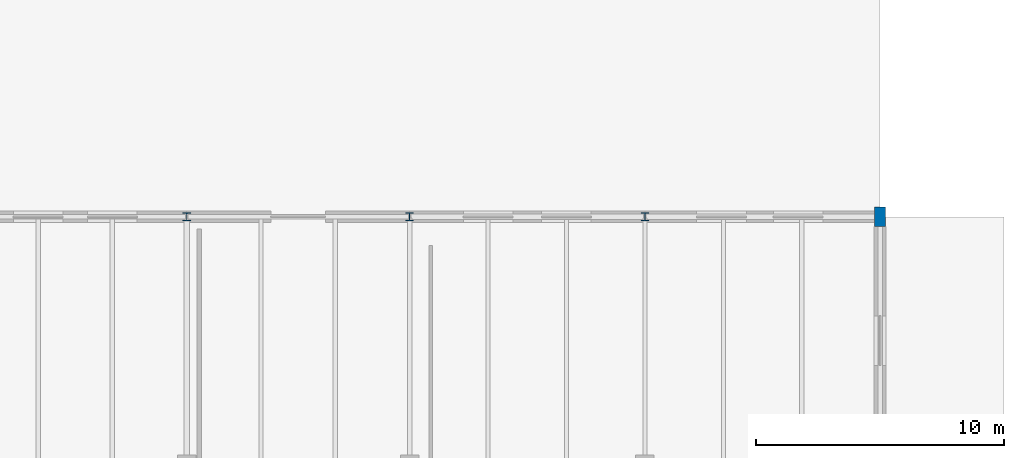
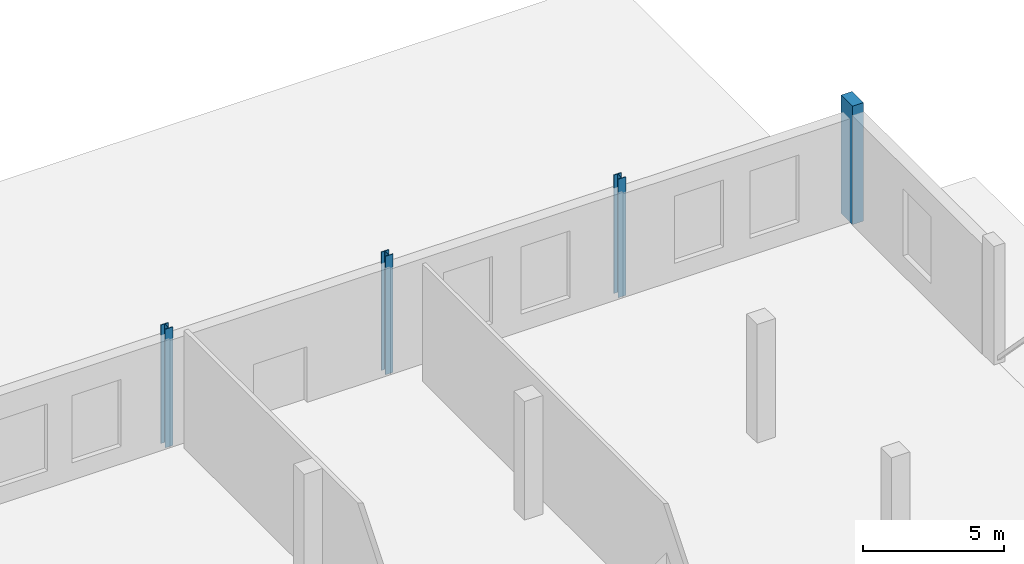
# One storey, part 27 of 103: 4 columns.
"""IFC4 building model written with IfcOpenShell, lengths in metres."""

from ifc_helpers import new_model, si_unit, direction, frame, origin, origin_2d, place, context, subcontext, project, spatial, rectangle, i_section, extrude, material, material_profile, profile_set, type_object, element, save


model = new_model("IFC4")

# Units and contexts
model_context = context("Model", 3, precision=1e-05, world=origin(), true_north=direction((0.0, 1.0)))
body_context = subcontext(model_context, "Body", "Model", "MODEL_VIEW")
ifc_project = project(units=[si_unit("LENGTHUNIT", "METRE"), si_unit("AREAUNIT", "SQUARE_METRE"), si_unit("VOLUMEUNIT", "CUBIC_METRE"), si_unit("PLANEANGLEUNIT", "RADIAN"), si_unit("MASSUNIT", "GRAM", prefix="KILO")], contexts=[model_context])

# Site, building, storey
site_placement = place(None, origin())
site = spatial("IfcSite", under=ifc_project, at=site_placement, CompositionType="ELEMENT")
building_placement = place(site_placement, origin())
building = spatial("IfcBuilding", under=site, at=building_placement, Name="Marnock Terrace Opera House", CompositionType="ELEMENT")
storey_placement = place(building_placement, origin())
storey = spatial("IfcBuildingStorey", under=building, at=storey_placement, Name="L00", CompositionType="ELEMENT", Elevation=0.0)

# Columns
ifc_material_1 = material(Name="Concrete N40 (f'c = 40 MPa)", Category="concrete")
ifc_material_profile_1 = material_profile(ifc_material_1, rectangle(XDim=0.449951171875, YDim=0.800048828125, at=origin_2d()))
ifc_profile_set_1 = profile_set([ifc_material_profile_1], Name="Concrete N40 (f'c = 40 MPa)")
column_type_1 = type_object("IfcColumnType", Name="COL-PIL-800", PredefinedType="PILASTER", material=ifc_profile_set_1)
column_placement = place(storey_placement, frame((164.0, 104.0, 0.0), z_axis=(0.0, 0.0, 1.0), x_axis=(1.0, 0.0, 0.0)))
element("IfcColumn", 1, at=column_placement, inside=storey, type_object=column_type_1, Name="L00 column at (164.0, 104.0)", PredefinedType="PILASTER", context=body_context, shape_type="SweptSolid", body=[
    extrude(rectangle(XDim=0.449951171875, YDim=0.800048828125, at=origin_2d()), origin(), (0.0, 0.0, 1.0), 5.1201171875),
])
ifc_material_2 = material(Name="Steel Grade 350 (AS/NZS 3679.1)", Category="steel")
ifc_material_profile_2 = material_profile(ifc_material_2, i_section(OverallWidth=0.31103515625, OverallDepth=0.3271484375, WebThickness=0.015625, FlangeThickness=0.02490234375, FilletRadius=0.0166015625, at=origin_2d()))
ifc_profile_set_2 = profile_set([ifc_material_profile_2], Name="Steel Grade 350 (AS/NZS 3679.1)")
column_type_2 = type_object("IfcColumnType", Name="COL-UC310A", PredefinedType="COLUMN", material=ifc_profile_set_2)
for number, where, z_axis, x_axis, name in (
    (2, (136.0, 104.0, 0.0), (0.0, 0.0, 1.0), (1.0, 0.0, 0.0), "L00 column at (136.0, 104.0)"),
    (3, (145.0, 104.0, 0.0), (0.0, 0.0, 1.0), (1.0, 0.0, 0.0), "L00 column at (145.0, 104.0)"),
    (4, (154.5, 104.0, 0.0), (0.0, 0.0, 1.0), (1.0, 0.0, 0.0), "L00 column at (154.5, 104.0)"),
):
    element("IfcColumn", number, at=place(storey_placement, frame(where, z_axis=z_axis, x_axis=x_axis)), inside=storey, type_object=column_type_2, Name=name, PredefinedType="COLUMN", context=body_context, shape_type="SweptSolid", body=[
        extrude(i_section(OverallWidth=0.31103515625, OverallDepth=0.3271484375, WebThickness=0.015625, FlangeThickness=0.02490234375, FilletRadius=0.0166015625, at=origin_2d()), origin(), (0.0, 0.0, 1.0), 5.1201171875),
    ])

save(model, "model.ifc")
